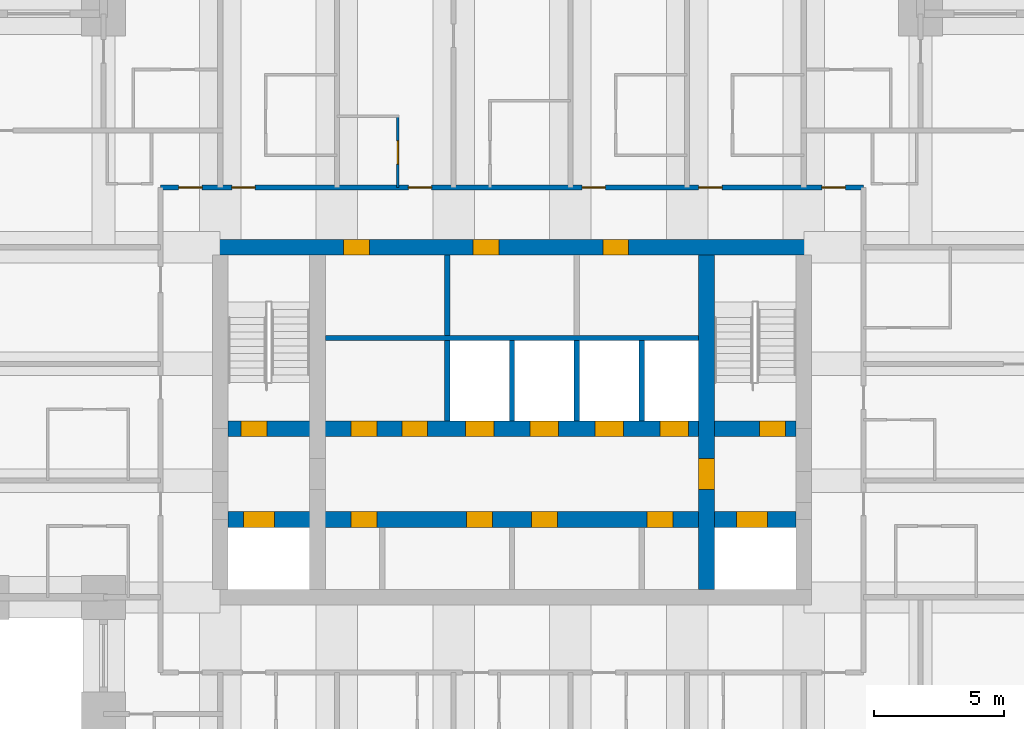
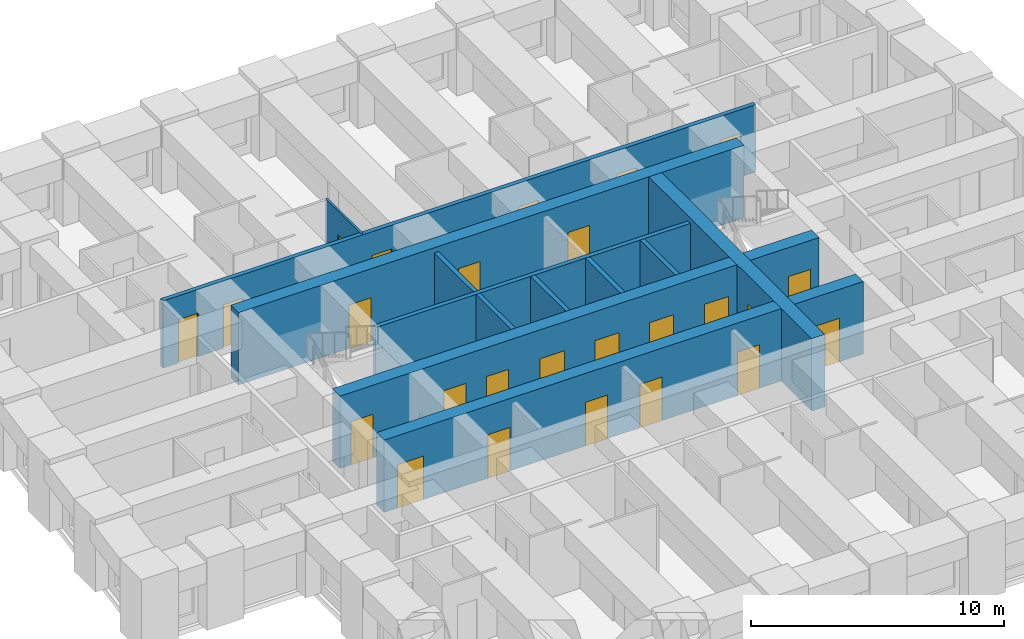
# One storey, part 4 of 8: 25 doors, 12 walls, 25 openings.
"""IFC4 building model written with IfcOpenShell, lengths in metres."""

from ifc_helpers import new_model, si_unit, direction, frame, frame_2d, origin, place, context, subcontext, project, spatial, rectangle, extrude, material, layer, layer_set, type_object, element, fill, save


model = new_model("IFC4")

# Units and contexts
model_context = context("Model", 3, precision=1e-05, world=origin(), true_north=direction((0.0, 1.0)))
body_context = subcontext(model_context, "Body", "Model", "MODEL_VIEW")
ifc_project = project(units=[si_unit("LENGTHUNIT", "METRE"), si_unit("AREAUNIT", "SQUARE_METRE"), si_unit("VOLUMEUNIT", "CUBIC_METRE"), si_unit("PLANEANGLEUNIT", "RADIAN"), si_unit("MASSUNIT", "GRAM", prefix="KILO")], contexts=[model_context])

# Site, building, storey
site_placement = place(None, origin())
site = spatial("IfcSite", under=ifc_project, at=site_placement, CompositionType="ELEMENT")
building_placement = place(site_placement, origin())
building = spatial("IfcBuilding", under=site, at=building_placement, Name="Kilele Tower Hotel", CompositionType="ELEMENT")
storey_placement = place(building_placement, frame((0.0, 0.0, 169.39990234375)))
storey = spatial("IfcBuildingStorey", under=building, at=storey_placement, Name="L43", CompositionType="ELEMENT", Elevation=169.39990234375)

# Wall, opening, door
ifc_material_1 = material(Name="Moisture-resistant board")
ifc_layer_1 = layer(ifc_material_1, 0.10009765625)
ifc_layer_set_1 = layer_set([ifc_layer_1], Name="Moisture-resistant board")
wall_type_1 = type_object("IfcWallType", Name="Bathroom partition 100", PredefinedType="PLUMBINGWALL", material=ifc_layer_set_1)
wall_1_placement = place(storey_placement, frame((20.35009765625, 29.300048828125, 0.0), z_axis=(0.0, 0.0, 1.0), x_axis=(0.0, 1.0, 0.0)))
wall_1 = element("IfcWall", 1, at=wall_1_placement, inside=storey, type_object=wall_type_1, Name="Bathroom partition 100 L43", PredefinedType="PLUMBINGWALL", context=body_context, shape_type="SweptSolid", body=[
    extrude(rectangle(XDim=2.800048828125, YDim=0.10009765625, at=frame_2d((1.39990234375, 0.0))), origin(), (0.0, 0.0, 1.0), 3.25),
])
opening_1_placement = place(wall_1_placement, frame((1.7998046875, 0.0, 0.0), z_axis=(0.0, 0.0, 1.0), x_axis=(-1.0, 0.0, 0.0)))
opening_1 = element("IfcOpeningElement", 2, at=opening_1_placement, cuts=wall_1, Name="Opening D2A", PredefinedType="OPENING", context=body_context, shape_type="SweptSolid", body=[
    extrude(rectangle(XDim=0.89990234375, YDim=2.10009765625, at=frame_2d((0.449951171875, 1.050048828125))), frame((0.0, 0.06005859375, 0.0), z_axis=(0.0, -1.0, 0.0), x_axis=(1.0, 0.0, 0.0)), (0.0, 0.0, 1.0), 0.1201171875),
])
ifc_material_2 = material(Name="Timber door leaf in hardwood frame", Category="wood")
door_type_1 = type_object("IfcDoorType", Name="Bathroom door 900", OperationType="SINGLE_SWING_LEFT", PredefinedType="DOOR", material=ifc_material_2)
door_1_placement = place(opening_1_placement, origin())
door_1 = element("IfcDoor", 3, at=door_1_placement, inside=storey, type_object=door_type_1, Name="Bathroom door 4310B", OperationType="SINGLE_SWING_RIGHT", OverallHeight=2.10009765625, OverallWidth=0.89990234375, PredefinedType="DOOR", context=body_context, shape_type="SweptSolid", body=[
    extrude(rectangle(XDim=0.89990234375, YDim=2.10009765625, at=frame_2d((0.449951171875, 1.050048828125))), frame((0.0, 0.02490234375, 0.0), z_axis=(0.0, -1.0, 0.0), x_axis=(1.0, 0.0, 0.0)), (0.0, 0.0, 1.0), 0.050048828125),
])
fill(opening_1, door_1)

# Wall, openings, doors
ifc_material_3 = material(Name="Concrete C70/85", Category="concrete")
ifc_layer_2 = layer(ifc_material_3, 0.60009765625)
ifc_layer_set_2 = layer_set([ifc_layer_2], Name="Concrete C70/85")
wall_type_2 = type_object("IfcWallType", Name="Core wall 600 C70/85", PredefinedType="SHEAR", material=ifc_layer_set_2)
wall_2_placement = place(storey_placement, frame((36.300048828125, 27.0, 0.0), z_axis=(0.0, 0.0, 1.0), x_axis=(-1.0, 0.0, 0.0)))
wall_2 = element("IfcWall", 4, at=wall_2_placement, inside=storey, type_object=wall_type_2, Name="Core wall N L43", PredefinedType="SHEAR", context=body_context, shape_type="SweptSolid", body=[
    extrude(rectangle(XDim=23.10009765625, YDim=0.60009765625, at=frame_2d((11.550048828125, 0.0))), origin(), (0.0, 0.0, 1.0), 3.5),
])
opening_2_placement = place(wall_2_placement, frame((17.050048828125, 0.0, 0.0)))
opening_2 = element("IfcOpeningElement", 5, at=opening_2_placement, cuts=wall_2, Name="Opening D6", PredefinedType="OPENING", context=body_context, shape_type="SweptSolid", body=[
    extrude(rectangle(XDim=1.0, YDim=2.10009765625, at=frame_2d((0.5, 1.050048828125))), frame((0.0, 0.31005859375, 0.0), z_axis=(0.0, -1.0, 0.0), x_axis=(1.0, 0.0, 0.0)), (0.0, 0.0, 1.0), 0.6201171875),
])
opening_3_placement = place(wall_2_placement, frame((12.050048828125, 0.0, 0.0)))
opening_3 = element("IfcOpeningElement", 6, at=opening_3_placement, cuts=wall_2, Name="Opening D6", PredefinedType="OPENING", context=body_context, shape_type="SweptSolid", body=[
    extrude(rectangle(XDim=1.0, YDim=2.10009765625, at=frame_2d((0.5, 1.050048828125))), frame((0.0, 0.31005859375, 0.0), z_axis=(0.0, -1.0, 0.0), x_axis=(1.0, 0.0, 0.0)), (0.0, 0.0, 1.0), 0.6201171875),
])
opening_4_placement = place(wall_2_placement, frame((7.050048828125, 0.0, 0.0)))
opening_4 = element("IfcOpeningElement", 7, at=opening_4_placement, cuts=wall_2, Name="Opening D6", PredefinedType="OPENING", context=body_context, shape_type="SweptSolid", body=[
    extrude(rectangle(XDim=1.0, YDim=2.10009765625, at=frame_2d((0.5, 1.050048828125))), frame((0.0, 0.31005859375, 0.0), z_axis=(0.0, -1.0, 0.0), x_axis=(1.0, 0.0, 0.0)), (0.0, 0.0, 1.0), 0.6201171875),
])
ifc_material_4 = material(Name="Timber door leaf in hardwood frame", Category="wood")
door_type_2 = type_object("IfcDoorType", Name="Riser door 1000", OperationType="SINGLE_SWING_LEFT", PredefinedType="DOOR", material=ifc_material_4)
door_2_placement = place(opening_2_placement, origin())
door_2 = element("IfcDoor", 8, at=door_2_placement, inside=storey, type_object=door_type_2, Name="Service riser door L43", OperationType="SINGLE_SWING_RIGHT", OverallHeight=2.10009765625, OverallWidth=1.0, PredefinedType="DOOR", context=body_context, shape_type="SweptSolid", body=[
    extrude(rectangle(XDim=1.0, YDim=2.10009765625, at=frame_2d((0.5, 1.050048828125))), frame((0.0, 0.2998046875, 0.0), z_axis=(0.0, -1.0, 0.0), x_axis=(1.0, 0.0, 0.0)), (0.0, 0.0, 1.0), 0.599609375),
])
fill(opening_2, door_2)
door_3_placement = place(opening_3_placement, origin())
door_3 = element("IfcDoor", 9, at=door_3_placement, inside=storey, type_object=door_type_2, Name="Staff WC door L43", OperationType="SINGLE_SWING_RIGHT", OverallHeight=2.10009765625, OverallWidth=1.0, PredefinedType="DOOR", context=body_context, shape_type="SweptSolid", body=[
    extrude(rectangle(XDim=1.0, YDim=2.10009765625, at=frame_2d((0.5, 1.050048828125))), frame((0.0, 0.2998046875, 0.0), z_axis=(0.0, -1.0, 0.0), x_axis=(1.0, 0.0, 0.0)), (0.0, 0.0, 1.0), 0.599609375),
])
fill(opening_3, door_3)
door_4_placement = place(opening_4_placement, origin())
door_4 = element("IfcDoor", 10, at=door_4_placement, inside=storey, type_object=door_type_2, Name="Electrical riser door L43", OperationType="SINGLE_SWING_RIGHT", OverallHeight=2.10009765625, OverallWidth=1.0, PredefinedType="DOOR", context=body_context, shape_type="SweptSolid", body=[
    extrude(rectangle(XDim=1.0, YDim=2.10009765625, at=frame_2d((0.5, 1.050048828125))), frame((0.0, 0.2998046875, 0.0), z_axis=(0.0, -1.0, 0.0), x_axis=(1.0, 0.0, 0.0)), (0.0, 0.0, 1.0), 0.599609375),
])
fill(opening_4, door_4)

# Wall, opening, door
wall_3_placement = place(storey_placement, frame((32.25, 13.800048828125, 0.0), z_axis=(0.0, 0.0, 1.0), x_axis=(0.0, 1.0, 0.0)))
wall_3 = element("IfcWall", 11, at=wall_3_placement, inside=storey, type_object=wall_type_2, Name="Core wall IE L43", PredefinedType="SHEAR", context=body_context, shape_type="SweptSolid", body=[
    extrude(rectangle(XDim=12.89990234375, YDim=0.60009765625, at=frame_2d((6.449951171875, 0.0))), origin(), (0.0, 0.0, 1.0), 3.5),
])
opening_5_placement = place(wall_3_placement, frame((5.050048828125, 0.0, 0.0), z_axis=(0.0, 0.0, 1.0), x_axis=(-1.0, 0.0, 0.0)))
opening_5 = element("IfcOpeningElement", 12, at=opening_5_placement, cuts=wall_3, Name="Opening D4", PredefinedType="OPENING", context=body_context, shape_type="SweptSolid", body=[
    extrude(rectangle(XDim=1.199951171875, YDim=2.10009765625, at=frame_2d((0.60009765625, 1.050048828125))), frame((0.0, 0.31005859375, 0.0), z_axis=(0.0, -1.0, 0.0), x_axis=(1.0, 0.0, 0.0)), (0.0, 0.0, 1.0), 0.6201171875),
])
ifc_material_5 = material(Name="Timber door leaf in hardwood frame", Category="wood")
door_type_3 = type_object("IfcDoorType", Name="Firefighting lobby door 1200", OperationType="SINGLE_SWING_LEFT", PredefinedType="DOOR", material=ifc_material_5)
door_5_placement = place(opening_5_placement, origin())
door_5 = element("IfcDoor", 13, at=door_5_placement, inside=storey, type_object=door_type_3, Name="Lobby door L43", OperationType="SINGLE_SWING_RIGHT", OverallHeight=2.10009765625, OverallWidth=1.199951171875, PredefinedType="DOOR", context=body_context, shape_type="SweptSolid", body=[
    extrude(rectangle(XDim=1.199951171875, YDim=2.10009765625, at=frame_2d((0.60009765625, 1.050048828125))), frame((0.0, 0.2998046875, 0.0), z_axis=(0.0, -1.0, 0.0), x_axis=(1.0, 0.0, 0.0)), (0.0, 0.0, 1.0), 0.599609375),
])
fill(opening_5, door_5)

# Wall, openings, doors
wall_4_placement = place(storey_placement, frame((13.800048828125, 16.5, 0.0), z_axis=(0.0, 0.0, 1.0), x_axis=(1.0, 0.0, 0.0)))
wall_4 = element("IfcWall", 14, at=wall_4_placement, inside=storey, type_object=wall_type_2, Name="Core wall LS L43", PredefinedType="SHEAR", context=body_context, shape_type="SweptSolid", body=[
    extrude(rectangle(XDim=21.89990234375, YDim=0.60009765625, at=frame_2d((10.949951171875, 0.0))), origin(), (0.0, 0.0, 1.0), 3.5),
])
opening_6_placement = place(wall_4_placement, frame((5.75, 0.0, 0.0), z_axis=(0.0, 0.0, 1.0), x_axis=(-1.0, 0.0, 0.0)))
opening_6 = element("IfcOpeningElement", 15, at=opening_6_placement, cuts=wall_4, Name="Opening D11", PredefinedType="OPENING", context=body_context, shape_type="SweptSolid", body=[
    extrude(rectangle(XDim=1.0, YDim=2.10009765625, at=frame_2d((0.5, 1.050048828125))), frame((0.0, 0.31005859375, 0.0), z_axis=(0.0, -1.0, 0.0), x_axis=(1.0, 0.0, 0.0)), (0.0, 0.0, 1.0), 0.6201171875),
])
opening_7_placement = place(wall_4_placement, frame((10.199951171875, 0.0, 0.0), z_axis=(0.0, 0.0, 1.0), x_axis=(-1.0, 0.0, 0.0)))
opening_7 = element("IfcOpeningElement", 16, at=opening_7_placement, cuts=wall_4, Name="Opening D11", PredefinedType="OPENING", context=body_context, shape_type="SweptSolid", body=[
    extrude(rectangle(XDim=1.0, YDim=2.10009765625, at=frame_2d((0.5, 1.050048828125))), frame((0.0, 0.31005859375, 0.0), z_axis=(0.0, -1.0, 0.0), x_axis=(1.0, 0.0, 0.0)), (0.0, 0.0, 1.0), 0.6201171875),
])
opening_8_placement = place(wall_4_placement, frame((12.699951171875, 0.0, 0.0), z_axis=(0.0, 0.0, 1.0), x_axis=(-1.0, 0.0, 0.0)))
opening_8 = element("IfcOpeningElement", 17, at=opening_8_placement, cuts=wall_4, Name="Opening D11", PredefinedType="OPENING", context=body_context, shape_type="SweptSolid", body=[
    extrude(rectangle(XDim=1.0, YDim=2.10009765625, at=frame_2d((0.5, 1.050048828125))), frame((0.0, 0.31005859375, 0.0), z_axis=(0.0, -1.0, 0.0), x_axis=(1.0, 0.0, 0.0)), (0.0, 0.0, 1.0), 0.6201171875),
])
opening_9_placement = place(wall_4_placement, frame((17.14990234375, 0.0, 0.0), z_axis=(0.0, 0.0, 1.0), x_axis=(-1.0, 0.0, 0.0)))
opening_9 = element("IfcOpeningElement", 18, at=opening_9_placement, cuts=wall_4, Name="Opening D11", PredefinedType="OPENING", context=body_context, shape_type="SweptSolid", body=[
    extrude(rectangle(XDim=1.0, YDim=2.10009765625, at=frame_2d((0.5, 1.050048828125))), frame((0.0, 0.31005859375, 0.0), z_axis=(0.0, -1.0, 0.0), x_axis=(1.0, 0.0, 0.0)), (0.0, 0.0, 1.0), 0.6201171875),
])
opening_10_placement = place(wall_4_placement, frame((0.60009765625, 0.0, 0.0)))
opening_10 = element("IfcOpeningElement", 19, at=opening_10_placement, cuts=wall_4, Name="Opening LD2", PredefinedType="OPENING", context=body_context, shape_type="SweptSolid", body=[
    extrude(rectangle(XDim=1.199951171875, YDim=2.10009765625, at=frame_2d((0.60009765625, 1.050048828125))), frame((0.0, 0.31005859375, 0.0), z_axis=(0.0, -1.0, 0.0), x_axis=(1.0, 0.0, 0.0)), (0.0, 0.0, 1.0), 0.6201171875),
])
opening_11_placement = place(wall_4_placement, frame((19.60009765625, 0.0, 0.0)))
opening_11 = element("IfcOpeningElement", 20, at=opening_11_placement, cuts=wall_4, Name="Opening LD2", PredefinedType="OPENING", context=body_context, shape_type="SweptSolid", body=[
    extrude(rectangle(XDim=1.199951171875, YDim=2.10009765625, at=frame_2d((0.60009765625, 1.050048828125))), frame((0.0, 0.31005859375, 0.0), z_axis=(0.0, -1.0, 0.0), x_axis=(1.0, 0.0, 0.0)), (0.0, 0.0, 1.0), 0.6201171875),
])
ifc_material_6 = material(Name="Timber door leaf in hardwood frame", Category="wood")
door_type_4 = type_object("IfcDoorType", Name="Core store door 1000", OperationType="SINGLE_SWING_LEFT", PredefinedType="DOOR", material=ifc_material_6)
door_6_placement = place(opening_6_placement, origin())
door_6 = element("IfcDoor", 21, at=door_6_placement, inside=storey, type_object=door_type_4, Name="Core room door L1 L43", OperationType="SINGLE_SWING_LEFT", OverallHeight=2.10009765625, OverallWidth=1.0, PredefinedType="DOOR", context=body_context, shape_type="SweptSolid", body=[
    extrude(rectangle(XDim=1.0, YDim=2.10009765625, at=frame_2d((0.5, 1.050048828125))), frame((0.0, 0.2998046875, 0.0), z_axis=(0.0, -1.0, 0.0), x_axis=(1.0, 0.0, 0.0)), (0.0, 0.0, 1.0), 0.599609375),
])
fill(opening_6, door_6)
door_7_placement = place(opening_7_placement, origin())
door_7 = element("IfcDoor", 22, at=door_7_placement, inside=storey, type_object=door_type_4, Name="Core room door L3 L43", OperationType="SINGLE_SWING_LEFT", OverallHeight=2.10009765625, OverallWidth=1.0, PredefinedType="DOOR", context=body_context, shape_type="SweptSolid", body=[
    extrude(rectangle(XDim=1.0, YDim=2.10009765625, at=frame_2d((0.5, 1.050048828125))), frame((0.0, 0.2998046875, 0.0), z_axis=(0.0, -1.0, 0.0), x_axis=(1.0, 0.0, 0.0)), (0.0, 0.0, 1.0), 0.599609375),
])
fill(opening_7, door_7)
door_8_placement = place(opening_8_placement, origin())
door_8 = element("IfcDoor", 23, at=door_8_placement, inside=storey, type_object=door_type_4, Name="Core room door M1 L43", OperationType="SINGLE_SWING_RIGHT", OverallHeight=2.10009765625, OverallWidth=1.0, PredefinedType="DOOR", context=body_context, shape_type="SweptSolid", body=[
    extrude(rectangle(XDim=1.0, YDim=2.10009765625, at=frame_2d((0.5, 1.050048828125))), frame((0.0, 0.2998046875, 0.0), z_axis=(0.0, -1.0, 0.0), x_axis=(1.0, 0.0, 0.0)), (0.0, 0.0, 1.0), 0.599609375),
])
fill(opening_8, door_8)
door_9_placement = place(opening_9_placement, origin())
door_9 = element("IfcDoor", 24, at=door_9_placement, inside=storey, type_object=door_type_4, Name="Core room door M3 L43", OperationType="SINGLE_SWING_RIGHT", OverallHeight=2.10009765625, OverallWidth=1.0, PredefinedType="DOOR", context=body_context, shape_type="SweptSolid", body=[
    extrude(rectangle(XDim=1.0, YDim=2.10009765625, at=frame_2d((0.5, 1.050048828125))), frame((0.0, 0.2998046875, 0.0), z_axis=(0.0, -1.0, 0.0), x_axis=(1.0, 0.0, 0.0)), (0.0, 0.0, 1.0), 0.599609375),
])
fill(opening_9, door_9)
ifc_material_7 = material(Name="Steel lift landing door", Category="steel")
door_type_5 = type_object("IfcDoorType", Name="Firefighting lift landing door 1200", OperationType="SLIDING_TO_LEFT", PredefinedType="DOOR", material=ifc_material_7)
door_10_placement = place(opening_10_placement, origin())
door_10 = element("IfcDoor", 25, at=door_10_placement, inside=storey, type_object=door_type_5, Name="Landing door FFW L43", OperationType="SLIDING_TO_LEFT", OverallHeight=2.10009765625, OverallWidth=1.199951171875, PredefinedType="DOOR", context=body_context, shape_type="SweptSolid", body=[
    extrude(rectangle(XDim=1.199951171875, YDim=2.10009765625, at=frame_2d((0.60009765625, 1.050048828125))), frame((0.0, 0.2998046875, 0.0), z_axis=(0.0, -1.0, 0.0), x_axis=(1.0, 0.0, 0.0)), (0.0, 0.0, 1.0), 0.599609375),
])
fill(opening_10, door_10)
door_11_placement = place(opening_11_placement, origin())
door_11 = element("IfcDoor", 26, at=door_11_placement, inside=storey, type_object=door_type_5, Name="Landing door FFE L43", OperationType="SLIDING_TO_LEFT", OverallHeight=2.10009765625, OverallWidth=1.199951171875, PredefinedType="DOOR", context=body_context, shape_type="SweptSolid", body=[
    extrude(rectangle(XDim=1.199951171875, YDim=2.10009765625, at=frame_2d((0.60009765625, 1.050048828125))), frame((0.0, 0.2998046875, 0.0), z_axis=(0.0, -1.0, 0.0), x_axis=(1.0, 0.0, 0.0)), (0.0, 0.0, 1.0), 0.599609375),
])
fill(opening_11, door_11)

wall_5_placement = place(storey_placement, frame((13.800048828125, 20.0, 0.0), z_axis=(0.0, 0.0, 1.0), x_axis=(1.0, 0.0, 0.0)))
wall_5 = element("IfcWall", 27, at=wall_5_placement, inside=storey, type_object=wall_type_2, Name="Core wall LN L43", PredefinedType="SHEAR", context=body_context, shape_type="SweptSolid", body=[
    extrude(rectangle(XDim=21.89990234375, YDim=0.60009765625, at=frame_2d((10.949951171875, 0.0))), origin(), (0.0, 0.0, 1.0), 3.5),
])
opening_12_placement = place(wall_5_placement, frame((0.5, 0.0, 0.0)))
opening_12 = element("IfcOpeningElement", 28, at=opening_12_placement, cuts=wall_5, Name="Opening D5", PredefinedType="OPENING", context=body_context, shape_type="SweptSolid", body=[
    extrude(rectangle(XDim=1.0, YDim=2.10009765625, at=frame_2d((0.5, 1.050048828125))), frame((0.0, 0.31005859375, 0.0), z_axis=(0.0, -1.0, 0.0), x_axis=(1.0, 0.0, 0.0)), (0.0, 0.0, 1.0), 0.6201171875),
])
opening_13_placement = place(wall_5_placement, frame((20.5, 0.0, 0.0)))
opening_13 = element("IfcOpeningElement", 29, at=opening_13_placement, cuts=wall_5, Name="Opening D5", PredefinedType="OPENING", context=body_context, shape_type="SweptSolid", body=[
    extrude(rectangle(XDim=1.0, YDim=2.10009765625, at=frame_2d((0.5, 1.050048828125))), frame((0.0, 0.31005859375, 0.0), z_axis=(0.0, -1.0, 0.0), x_axis=(1.0, 0.0, 0.0)), (0.0, 0.0, 1.0), 0.6201171875),
])
opening_14_placement = place(wall_5_placement, frame((9.14990234375, 0.0, 0.0)))
opening_14 = element("IfcOpeningElement", 30, at=opening_14_placement, cuts=wall_5, Name="Opening LD1", PredefinedType="OPENING", context=body_context, shape_type="SweptSolid", body=[
    extrude(rectangle(XDim=1.10009765625, YDim=2.10009765625, at=frame_2d((0.550048828125, 1.050048828125))), frame((0.0, 0.31005859375, 0.0), z_axis=(0.0, -1.0, 0.0), x_axis=(1.0, 0.0, 0.0)), (0.0, 0.0, 1.0), 0.6201171875),
])
opening_15_placement = place(wall_5_placement, frame((11.64990234375, 0.0, 0.0)))
opening_15 = element("IfcOpeningElement", 31, at=opening_15_placement, cuts=wall_5, Name="Opening LD1", PredefinedType="OPENING", context=body_context, shape_type="SweptSolid", body=[
    extrude(rectangle(XDim=1.10009765625, YDim=2.10009765625, at=frame_2d((0.550048828125, 1.050048828125))), frame((0.0, 0.31005859375, 0.0), z_axis=(0.0, -1.0, 0.0), x_axis=(1.0, 0.0, 0.0)), (0.0, 0.0, 1.0), 0.6201171875),
])
opening_16_placement = place(wall_5_placement, frame((14.14990234375, 0.0, 0.0)))
opening_16 = element("IfcOpeningElement", 32, at=opening_16_placement, cuts=wall_5, Name="Opening LD1", PredefinedType="OPENING", context=body_context, shape_type="SweptSolid", body=[
    extrude(rectangle(XDim=1.10009765625, YDim=2.10009765625, at=frame_2d((0.550048828125, 1.050048828125))), frame((0.0, 0.31005859375, 0.0), z_axis=(0.0, -1.0, 0.0), x_axis=(1.0, 0.0, 0.0)), (0.0, 0.0, 1.0), 0.6201171875),
])
opening_17_placement = place(wall_5_placement, frame((16.64990234375, 0.0, 0.0)))
opening_17 = element("IfcOpeningElement", 33, at=opening_17_placement, cuts=wall_5, Name="Opening LD1", PredefinedType="OPENING", context=body_context, shape_type="SweptSolid", body=[
    extrude(rectangle(XDim=1.10009765625, YDim=2.10009765625, at=frame_2d((0.550048828125, 1.050048828125))), frame((0.0, 0.31005859375, 0.0), z_axis=(0.0, -1.0, 0.0), x_axis=(1.0, 0.0, 0.0)), (0.0, 0.0, 1.0), 0.6201171875),
])
opening_18_placement = place(wall_5_placement, frame((4.75, 0.0, 0.0)))
opening_18 = element("IfcOpeningElement", 34, at=opening_18_placement, cuts=wall_5, Name="Opening D11", PredefinedType="OPENING", context=body_context, shape_type="SweptSolid", body=[
    extrude(rectangle(XDim=1.0, YDim=2.10009765625, at=frame_2d((0.5, 1.050048828125))), frame((0.0, 0.31005859375, 0.0), z_axis=(0.0, -1.0, 0.0), x_axis=(1.0, 0.0, 0.0)), (0.0, 0.0, 1.0), 0.6201171875),
])
opening_19_placement = place(wall_5_placement, frame((6.699951171875, 0.0, 0.0)))
opening_19 = element("IfcOpeningElement", 35, at=opening_19_placement, cuts=wall_5, Name="Opening D11", PredefinedType="OPENING", context=body_context, shape_type="SweptSolid", body=[
    extrude(rectangle(XDim=1.0, YDim=2.10009765625, at=frame_2d((0.5, 1.050048828125))), frame((0.0, 0.31005859375, 0.0), z_axis=(0.0, -1.0, 0.0), x_axis=(1.0, 0.0, 0.0)), (0.0, 0.0, 1.0), 0.6201171875),
])
door_12_placement = place(opening_18_placement, origin())
door_12 = element("IfcDoor", 36, at=door_12_placement, inside=storey, type_object=door_type_4, Name="Core room door S1 L43", OperationType="SINGLE_SWING_LEFT", OverallHeight=2.10009765625, OverallWidth=1.0, PredefinedType="DOOR", context=body_context, shape_type="SweptSolid", body=[
    extrude(rectangle(XDim=1.0, YDim=2.10009765625, at=frame_2d((0.5, 1.050048828125))), frame((0.0, 0.2998046875, 0.0), z_axis=(0.0, -1.0, 0.0), x_axis=(1.0, 0.0, 0.0)), (0.0, 0.0, 1.0), 0.599609375),
])
fill(opening_18, door_12)
door_13_placement = place(opening_19_placement, origin())
door_13 = element("IfcDoor", 37, at=door_13_placement, inside=storey, type_object=door_type_4, Name="Core room door S2 L43", OperationType="SINGLE_SWING_RIGHT", OverallHeight=2.10009765625, OverallWidth=1.0, PredefinedType="DOOR", context=body_context, shape_type="SweptSolid", body=[
    extrude(rectangle(XDim=1.0, YDim=2.10009765625, at=frame_2d((0.5, 1.050048828125))), frame((0.0, 0.2998046875, 0.0), z_axis=(0.0, -1.0, 0.0), x_axis=(1.0, 0.0, 0.0)), (0.0, 0.0, 1.0), 0.599609375),
])
fill(opening_19, door_13)
ifc_material_8 = material(Name="Steel lift landing door", Category="steel")
door_type_6 = type_object("IfcDoorType", Name="Lift landing door 1100", OperationType="SLIDING_TO_LEFT", PredefinedType="DOOR", material=ifc_material_8)
door_14_placement = place(opening_14_placement, origin())
door_14 = element("IfcDoor", 38, at=door_14_placement, inside=storey, type_object=door_type_6, Name="Landing door H1 L43", OperationType="SLIDING_TO_LEFT", OverallHeight=2.10009765625, OverallWidth=1.10009765625, PredefinedType="DOOR", context=body_context, shape_type="SweptSolid", body=[
    extrude(rectangle(XDim=1.10009765625, YDim=2.10009765625, at=frame_2d((0.550048828125, 1.050048828125))), frame((0.0, 0.2998046875, 0.0), z_axis=(0.0, -1.0, 0.0), x_axis=(1.0, 0.0, 0.0)), (0.0, 0.0, 1.0), 0.599609375),
])
fill(opening_14, door_14)
door_15_placement = place(opening_15_placement, origin())
door_15 = element("IfcDoor", 39, at=door_15_placement, inside=storey, type_object=door_type_6, Name="Landing door H2 L43", OperationType="SLIDING_TO_LEFT", OverallHeight=2.10009765625, OverallWidth=1.10009765625, PredefinedType="DOOR", context=body_context, shape_type="SweptSolid", body=[
    extrude(rectangle(XDim=1.10009765625, YDim=2.10009765625, at=frame_2d((0.550048828125, 1.050048828125))), frame((0.0, 0.2998046875, 0.0), z_axis=(0.0, -1.0, 0.0), x_axis=(1.0, 0.0, 0.0)), (0.0, 0.0, 1.0), 0.599609375),
])
fill(opening_15, door_15)
door_16_placement = place(opening_16_placement, origin())
door_16 = element("IfcDoor", 40, at=door_16_placement, inside=storey, type_object=door_type_6, Name="Landing door H3 L43", OperationType="SLIDING_TO_LEFT", OverallHeight=2.10009765625, OverallWidth=1.10009765625, PredefinedType="DOOR", context=body_context, shape_type="SweptSolid", body=[
    extrude(rectangle(XDim=1.10009765625, YDim=2.10009765625, at=frame_2d((0.550048828125, 1.050048828125))), frame((0.0, 0.2998046875, 0.0), z_axis=(0.0, -1.0, 0.0), x_axis=(1.0, 0.0, 0.0)), (0.0, 0.0, 1.0), 0.599609375),
])
fill(opening_16, door_16)
door_17_placement = place(opening_17_placement, origin())
door_17 = element("IfcDoor", 41, at=door_17_placement, inside=storey, type_object=door_type_6, Name="Landing door G1 L43", OperationType="SLIDING_TO_LEFT", OverallHeight=2.10009765625, OverallWidth=1.10009765625, PredefinedType="DOOR", context=body_context, shape_type="SweptSolid", body=[
    extrude(rectangle(XDim=1.10009765625, YDim=2.10009765625, at=frame_2d((0.550048828125, 1.050048828125))), frame((0.0, 0.2998046875, 0.0), z_axis=(0.0, -1.0, 0.0), x_axis=(1.0, 0.0, 0.0)), (0.0, 0.0, 1.0), 0.599609375),
])
fill(opening_17, door_17)
ifc_material_9 = material(Name="Timber door leaf in hardwood frame", Category="wood")
door_type_7 = type_object("IfcDoorType", Name="Stair door 1000", OperationType="SINGLE_SWING_LEFT", PredefinedType="DOOR", material=ifc_material_9)
door_18_placement = place(opening_12_placement, origin())
door_18 = element("IfcDoor", 42, at=door_18_placement, inside=storey, type_object=door_type_7, Name="Stair 1 door L43", OperationType="SINGLE_SWING_LEFT", OverallHeight=2.10009765625, OverallWidth=1.0, PredefinedType="DOOR", context=body_context, shape_type="SweptSolid", body=[
    extrude(rectangle(XDim=1.0, YDim=2.10009765625, at=frame_2d((0.5, 1.050048828125))), frame((0.0, 0.2998046875, 0.0), z_axis=(0.0, -1.0, 0.0), x_axis=(1.0, 0.0, 0.0)), (0.0, 0.0, 1.0), 0.599609375),
])
fill(opening_12, door_18)
door_19_placement = place(opening_13_placement, origin())
door_19 = element("IfcDoor", 43, at=door_19_placement, inside=storey, type_object=door_type_7, Name="Stair 2 door L43", OperationType="SINGLE_SWING_RIGHT", OverallHeight=2.10009765625, OverallWidth=1.0, PredefinedType="DOOR", context=body_context, shape_type="SweptSolid", body=[
    extrude(rectangle(XDim=1.0, YDim=2.10009765625, at=frame_2d((0.5, 1.050048828125))), frame((0.0, 0.2998046875, 0.0), z_axis=(0.0, -1.0, 0.0), x_axis=(1.0, 0.0, 0.0)), (0.0, 0.0, 1.0), 0.599609375),
])
fill(opening_13, door_19)

ifc_material_10 = material(Name="Blockwork, plastered both sides", Category="masonry")
ifc_layer_3 = layer(ifc_material_10, 0.199951171875)
ifc_layer_set_3 = layer_set([ifc_layer_3], Name="Blockwork, plastered both sides")
wall_type_3 = type_object("IfcWallType", Name="Corridor wall 200", PredefinedType="PARTITIONING", material=ifc_layer_set_3)
wall_6_placement = place(storey_placement, frame((11.199951171875, 29.300048828125, 0.0), z_axis=(0.0, 0.0, 1.0), x_axis=(1.0, 0.0, 0.0)))
wall_6 = element("IfcWall", 44, at=wall_6_placement, inside=storey, type_object=wall_type_3, Name="Corridor wall 200 L43", PredefinedType="PARTITIONING", context=body_context, shape_type="SweptSolid", body=[
    extrude(rectangle(XDim=27.10009765625, YDim=0.199951171875, at=frame_2d((13.550048828125, 0.0))), origin(), (0.0, 0.0, 1.0), 3.25),
])
opening_20_placement = place(wall_6_placement, frame((2.75, 0.0, 0.0)))
opening_20 = element("IfcOpeningElement", 45, at=opening_20_placement, cuts=wall_6, Name="Opening D1", PredefinedType="OPENING", context=body_context, shape_type="SweptSolid", body=[
    extrude(rectangle(XDim=0.89990234375, YDim=2.10009765625, at=frame_2d((0.449951171875, 1.050048828125))), frame((0.0, 0.10986328125, 0.0), z_axis=(0.0, -1.0, 0.0), x_axis=(1.0, 0.0, 0.0)), (0.0, 0.0, 1.0), 0.219970703125),
])
opening_21_placement = place(wall_6_placement, frame((9.550048828125, 0.0, 0.0)))
opening_21 = element("IfcOpeningElement", 46, at=opening_21_placement, cuts=wall_6, Name="Opening D1", PredefinedType="OPENING", context=body_context, shape_type="SweptSolid", body=[
    extrude(rectangle(XDim=0.89990234375, YDim=2.10009765625, at=frame_2d((0.449951171875, 1.050048828125))), frame((0.0, 0.10986328125, 0.0), z_axis=(0.0, -1.0, 0.0), x_axis=(1.0, 0.0, 0.0)), (0.0, 0.0, 1.0), 0.219970703125),
])
opening_22_placement = place(wall_6_placement, frame((16.25, 0.0, 0.0)))
opening_22 = element("IfcOpeningElement", 47, at=opening_22_placement, cuts=wall_6, Name="Opening D1", PredefinedType="OPENING", context=body_context, shape_type="SweptSolid", body=[
    extrude(rectangle(XDim=0.89990234375, YDim=2.10009765625, at=frame_2d((0.449951171875, 1.050048828125))), frame((0.0, 0.10986328125, 0.0), z_axis=(0.0, -1.0, 0.0), x_axis=(1.0, 0.0, 0.0)), (0.0, 0.0, 1.0), 0.219970703125),
])
opening_23_placement = place(wall_6_placement, frame((20.75, 0.0, 0.0)))
opening_23 = element("IfcOpeningElement", 48, at=opening_23_placement, cuts=wall_6, Name="Opening D1", PredefinedType="OPENING", context=body_context, shape_type="SweptSolid", body=[
    extrude(rectangle(XDim=0.89990234375, YDim=2.10009765625, at=frame_2d((0.449951171875, 1.050048828125))), frame((0.0, 0.10986328125, 0.0), z_axis=(0.0, -1.0, 0.0), x_axis=(1.0, 0.0, 0.0)), (0.0, 0.0, 1.0), 0.219970703125),
])
opening_24_placement = place(wall_6_placement, frame((25.5, 0.0, 0.0)))
opening_24 = element("IfcOpeningElement", 49, at=opening_24_placement, cuts=wall_6, Name="Opening D1", PredefinedType="OPENING", context=body_context, shape_type="SweptSolid", body=[
    extrude(rectangle(XDim=0.89990234375, YDim=2.10009765625, at=frame_2d((0.449951171875, 1.050048828125))), frame((0.0, 0.10986328125, 0.0), z_axis=(0.0, -1.0, 0.0), x_axis=(1.0, 0.0, 0.0)), (0.0, 0.0, 1.0), 0.219970703125),
])
opening_25_placement = place(wall_6_placement, frame((0.699951171875, 0.0, 0.0)))
opening_25 = element("IfcOpeningElement", 50, at=opening_25_placement, cuts=wall_6, Name="Opening D1", PredefinedType="OPENING", context=body_context, shape_type="SweptSolid", body=[
    extrude(rectangle(XDim=0.89990234375, YDim=2.10009765625, at=frame_2d((0.449951171875, 1.050048828125))), frame((0.0, 0.10986328125, 0.0), z_axis=(0.0, -1.0, 0.0), x_axis=(1.0, 0.0, 0.0)), (0.0, 0.0, 1.0), 0.219970703125),
])
ifc_material_11 = material(Name="Timber door leaf in hardwood frame", Category="wood")
door_type_8 = type_object("IfcDoorType", Name="Guest room entrance door 900", OperationType="SINGLE_SWING_LEFT", PredefinedType="DOOR", material=ifc_material_11)
door_20_placement = place(opening_20_placement, origin())
door_20 = element("IfcDoor", 51, at=door_20_placement, inside=storey, type_object=door_type_8, Name="Room entrance 4309", OperationType="SINGLE_SWING_LEFT", OverallHeight=2.10009765625, OverallWidth=0.89990234375, PredefinedType="DOOR", context=body_context, shape_type="SweptSolid", body=[
    extrude(rectangle(XDim=0.89990234375, YDim=2.10009765625, at=frame_2d((0.449951171875, 1.050048828125))), frame((0.0, 0.02490234375, 0.0), z_axis=(0.0, -1.0, 0.0), x_axis=(1.0, 0.0, 0.0)), (0.0, 0.0, 1.0), 0.050048828125),
])
fill(opening_20, door_20)
door_21_placement = place(opening_21_placement, origin())
door_21 = element("IfcDoor", 52, at=door_21_placement, inside=storey, type_object=door_type_8, Name="Room entrance 4310", OperationType="SINGLE_SWING_LEFT", OverallHeight=2.10009765625, OverallWidth=0.89990234375, PredefinedType="DOOR", context=body_context, shape_type="SweptSolid", body=[
    extrude(rectangle(XDim=0.89990234375, YDim=2.10009765625, at=frame_2d((0.449951171875, 1.050048828125))), frame((0.0, 0.02490234375, 0.0), z_axis=(0.0, -1.0, 0.0), x_axis=(1.0, 0.0, 0.0)), (0.0, 0.0, 1.0), 0.050048828125),
])
fill(opening_21, door_21)
door_22_placement = place(opening_22_placement, origin())
door_22 = element("IfcDoor", 53, at=door_22_placement, inside=storey, type_object=door_type_8, Name="Room entrance 4312", OperationType="SINGLE_SWING_LEFT", OverallHeight=2.10009765625, OverallWidth=0.89990234375, PredefinedType="DOOR", context=body_context, shape_type="SweptSolid", body=[
    extrude(rectangle(XDim=0.89990234375, YDim=2.10009765625, at=frame_2d((0.449951171875, 1.050048828125))), frame((0.0, 0.02490234375, 0.0), z_axis=(0.0, -1.0, 0.0), x_axis=(1.0, 0.0, 0.0)), (0.0, 0.0, 1.0), 0.050048828125),
])
fill(opening_22, door_22)
door_23_placement = place(opening_23_placement, origin())
door_23 = element("IfcDoor", 54, at=door_23_placement, inside=storey, type_object=door_type_8, Name="Room entrance 4313", OperationType="SINGLE_SWING_LEFT", OverallHeight=2.10009765625, OverallWidth=0.89990234375, PredefinedType="DOOR", context=body_context, shape_type="SweptSolid", body=[
    extrude(rectangle(XDim=0.89990234375, YDim=2.10009765625, at=frame_2d((0.449951171875, 1.050048828125))), frame((0.0, 0.02490234375, 0.0), z_axis=(0.0, -1.0, 0.0), x_axis=(1.0, 0.0, 0.0)), (0.0, 0.0, 1.0), 0.050048828125),
])
fill(opening_23, door_23)
door_24_placement = place(opening_24_placement, origin())
door_24 = element("IfcDoor", 55, at=door_24_placement, inside=storey, type_object=door_type_8, Name="Room entrance 4322", OperationType="SINGLE_SWING_LEFT", OverallHeight=2.10009765625, OverallWidth=0.89990234375, PredefinedType="DOOR", context=body_context, shape_type="SweptSolid", body=[
    extrude(rectangle(XDim=0.89990234375, YDim=2.10009765625, at=frame_2d((0.449951171875, 1.050048828125))), frame((0.0, 0.02490234375, 0.0), z_axis=(0.0, -1.0, 0.0), x_axis=(1.0, 0.0, 0.0)), (0.0, 0.0, 1.0), 0.050048828125),
])
fill(opening_24, door_24)
door_25_placement = place(opening_25_placement, origin())
door_25 = element("IfcDoor", 56, at=door_25_placement, inside=storey, type_object=door_type_8, Name="Room entrance 4325", OperationType="SINGLE_SWING_RIGHT", OverallHeight=2.10009765625, OverallWidth=0.89990234375, PredefinedType="DOOR", context=body_context, shape_type="SweptSolid", body=[
    extrude(rectangle(XDim=0.89990234375, YDim=2.10009765625, at=frame_2d((0.449951171875, 1.050048828125))), frame((0.0, 0.02490234375, 0.0), z_axis=(0.0, -1.0, 0.0), x_axis=(1.0, 0.0, 0.0)), (0.0, 0.0, 1.0), 0.050048828125),
])
fill(opening_25, door_25)

# Walls
ifc_material_12 = material(Name="Blockwork, fire-rated", Category="masonry")
ifc_layer_4 = layer(ifc_material_12, 0.199951171875)
ifc_layer_set_4 = layer_set([ifc_layer_4], Name="Blockwork, fire-rated")
wall_type_4 = type_object("IfcWallType", Name="Shaft wall 200", PredefinedType="PARTITIONING", material=ifc_layer_set_4)
for number, where, z_axis, x_axis, name in (
    (57, (22.25, 20.300048828125, 0.0), (0.0, 0.0, 1.0), (0.0, 1.0, 0.0), "Shaft wall 200 L43"),
    (58, (24.75, 20.300048828125, 0.0), (0.0, 0.0, 1.0), (0.0, 1.0, 0.0), "Shaft wall 200 L43"),
    (59, (27.25, 20.300048828125, 0.0), (0.0, 0.0, 1.0), (0.0, 1.0, 0.0), "Shaft wall 200 L43"),
    (60, (29.75, 20.300048828125, 0.0), (0.0, 0.0, 1.0), (0.0, 1.0, 0.0), "Shaft wall 200 L43"),
):
    element("IfcWall", number, at=place(storey_placement, frame(where, z_axis=z_axis, x_axis=x_axis)), inside=storey, type_object=wall_type_4, Name=name, PredefinedType="PARTITIONING", context=body_context, shape_type="SweptSolid", body=[
        extrude(rectangle(XDim=3.099853515625, YDim=0.199951171875, at=frame_2d((1.5498046875, 0.0))), origin(), (0.0, 0.0, 1.0), 3.25),
    ])
wall_7_placement = place(storey_placement, frame((17.550048828125, 23.5, 0.0), z_axis=(0.0, 0.0, 1.0), x_axis=(1.0, 0.0, 0.0)))
element("IfcWall", 61, at=wall_7_placement, inside=storey, type_object=wall_type_4, Name="Shaft wall 200 L43", PredefinedType="PARTITIONING", context=body_context, shape_type="SweptSolid", body=[
    extrude(rectangle(XDim=14.39990234375, YDim=0.199951171875, at=frame_2d((7.199951171875, 0.0))), origin(), (0.0, 0.0, 1.0), 3.25),
])
wall_8_placement = place(storey_placement, frame((22.25, 23.60009765625, 0.0), z_axis=(0.0, 0.0, 1.0), x_axis=(0.0, 1.0, 0.0)))
element("IfcWall", 62, at=wall_8_placement, inside=storey, type_object=wall_type_4, Name="Shaft wall 200 L43", PredefinedType="PARTITIONING", context=body_context, shape_type="SweptSolid", body=[
    extrude(rectangle(XDim=3.099853515625, YDim=0.199951171875, at=frame_2d((1.5498046875, 0.0))), origin(), (0.0, 0.0, 1.0), 3.25),
])

save(model, "model.ifc")
